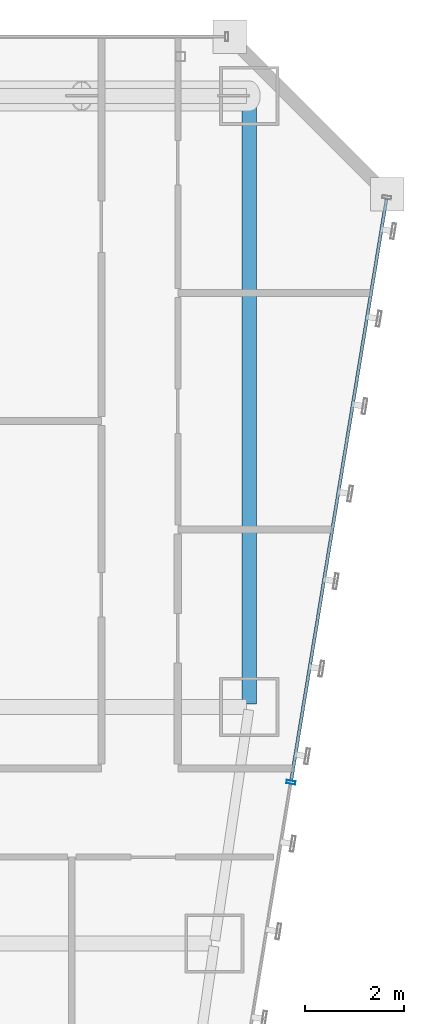
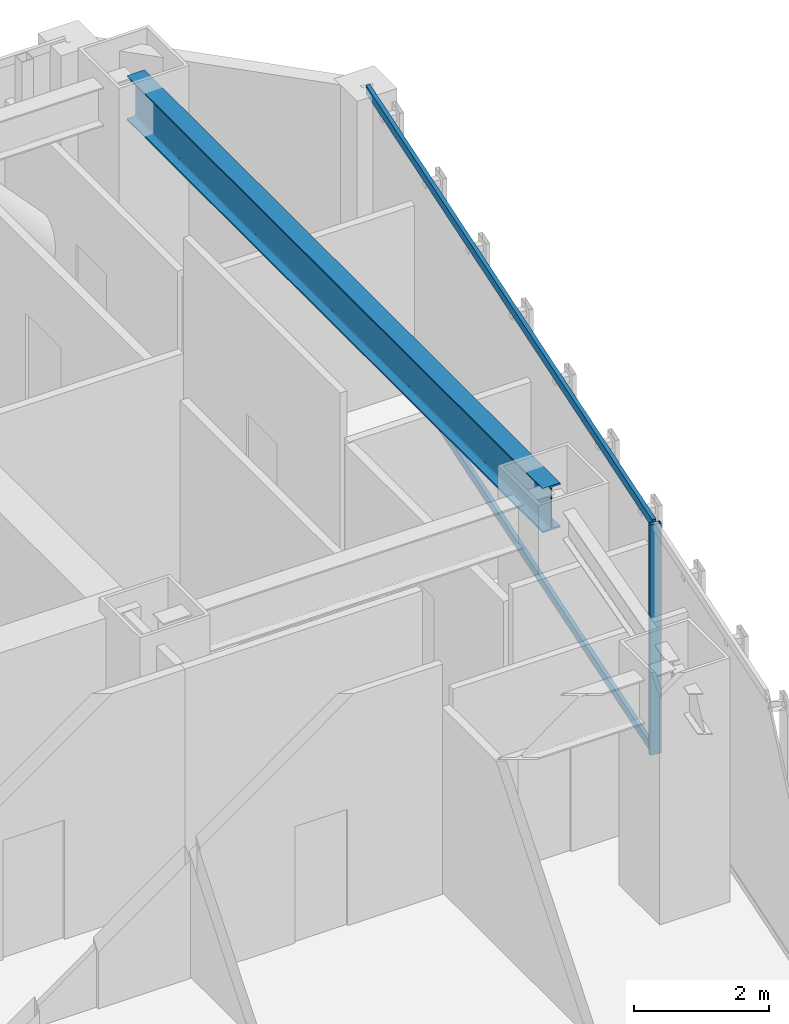
# One storey, part 31 of 47: 3 members, 1 beam, 1 element without a shape of its own.
"""IFC4 building model written with IfcOpenShell, lengths in metres."""

from ifc_helpers import new_model, si_unit, direction, frame, origin, origin_2d, place, context, subcontext, project, spatial, hollow_rectangle, i_section, extrude, material, material_profile, profile_set, type_object, element, aggregate, save


model = new_model("IFC4")

# Units and contexts
model_context = context("Model", 3, precision=1e-05, world=origin(), true_north=direction((0.0, 1.0)))
body_context = subcontext(model_context, "Body", "Model", "MODEL_VIEW")
ifc_project = project(units=[si_unit("LENGTHUNIT", "METRE"), si_unit("AREAUNIT", "SQUARE_METRE"), si_unit("VOLUMEUNIT", "CUBIC_METRE"), si_unit("PLANEANGLEUNIT", "RADIAN"), si_unit("MASSUNIT", "GRAM", prefix="KILO")], contexts=[model_context])

# Site, building, storey
site_placement = place(None, origin())
site = spatial("IfcSite", under=ifc_project, at=site_placement, CompositionType="ELEMENT")
building_placement = place(site_placement, origin())
building = spatial("IfcBuilding", under=site, at=building_placement, Name="Saevonmaru Cultural Tower", CompositionType="ELEMENT")
storey_placement = place(building_placement, frame((0.0, 0.0, 64.800048828125)))
storey = spatial("IfcBuildingStorey", under=building, at=storey_placement, Name="L13", CompositionType="ELEMENT", Elevation=64.800048828125)

# Beam
ifc_material_1 = material(Name="Steel SM420", Category="steel")
ifc_material_profile_1 = material_profile(ifc_material_1, i_section(OverallWidth=0.300048828125, OverallDepth=0.800048828125, WebThickness=0.013916015625, FlangeThickness=0.02587890625, FilletRadius=0.028076171875, at=origin_2d()), Name="H-800x300x14x26")
ifc_profile_set_1 = profile_set([ifc_material_profile_1], Name="Steel SM420")
beam_type = type_object("IfcBeamType", Name="BM-G-H800", PredefinedType="BEAM", material=ifc_profile_set_1)
beam_placement = place(storey_placement, frame((53.199951171875, 54.739990234375, 3.75), z_axis=(0.0, -1.0, 0.0), x_axis=(1.0, 0.0, 0.0)))
element("IfcBeam", 1, at=beam_placement, inside=storey, type_object=beam_type, Name="L13 Spine Transverse Girder E", PredefinedType="BEAM", context=body_context, shape_type="SweptSolid", body=[
    extrude(i_section(OverallWidth=0.300048828125, OverallDepth=0.800048828125, WebThickness=0.013916015625, FlangeThickness=0.02587890625, FilletRadius=0.028076171875, at=origin_2d()), origin(), (0.0, 0.0, 1.0), 12.280029296875),
])

# Curtain wall, members
ifc_material_2 = material(Name="Satin Bronze Anodised Aluminium", Category="aluminium")
curtain_wall_type = type_object("IfcCurtainWallType", Name="CW-TYP-A", PredefinedType="NOTDEFINED", material=ifc_material_2)
curtain_wall_placement = place(storey_placement, origin())
curtain_wall = element("IfcCurtainWall", 2, at=curtain_wall_placement, inside=storey, type_object=curtain_wall_type, Name="L13 Unitised Curtain Wall E8", PredefinedType="NOTDEFINED")
ifc_material_profile_2 = material_profile(ifc_material_2, hollow_rectangle(XDim=0.06494140625, YDim=0.179931640625, WallThickness=0.00390625, at=origin_2d()), Name="ALU-MULL-180x65x4")
ifc_profile_set_2 = profile_set([ifc_material_profile_2], Name="Satin Bronze Anodised Aluminium")
member_type_1 = type_object("IfcMemberType", Name="ML-CW-180x65", PredefinedType="MULLION", material=ifc_profile_set_2)
member_1_placement = place(storey_placement, frame((54.045166015625, 40.870361328125, 0.0), z_axis=(0.0, 0.0, 1.0), x_axis=(0.161708868641, 0.986838508472, 0.0)))
member_1 = element("IfcMember", 3, at=member_1_placement, type_object=member_type_1, Name="CW-TW-L13-E8 mullion 4", PredefinedType="MULLION", context=body_context, shape_type="SweptSolid", body=[
    extrude(hollow_rectangle(XDim=0.06494140625, YDim=0.179931640625, WallThickness=0.00390625, at=origin_2d()), origin(), (0.0, 0.0, 1.0), 4.14990234375),
])
ifc_material_profile_3 = material_profile(ifc_material_2, hollow_rectangle(XDim=0.06494140625, YDim=0.14990234375, WallThickness=0.00390625, at=origin_2d()), Name="ALU-TRAN-150x65x4")
ifc_profile_set_3 = profile_set([ifc_material_profile_3], Name="Satin Bronze Anodised Aluminium")
member_type_2 = type_object("IfcMemberType", Name="TR-CW-150x65", PredefinedType="USERDEFINED", material=ifc_profile_set_3)
member_2_placement = place(storey_placement, frame((54.05029296875, 40.902587890625, 0.032470703125), z_axis=(0.161724530373, 0.986835941925, 0.0), x_axis=(-0.986835941925, 0.161724530373, 0.0)))
member_2 = element("IfcMember", 4, at=member_2_placement, type_object=member_type_2, Name="CW-TW-L13-E8 transom 4.1", ObjectType="TRANSOM", PredefinedType="USERDEFINED", context=body_context, shape_type="SweptSolid", body=[
    extrude(hollow_rectangle(XDim=0.06494140625, YDim=0.14990234375, WallThickness=0.00390625, at=origin_2d()), origin(), (0.0, 0.0, 1.0), 11.963623046875),
])
member_3_placement = place(storey_placement, frame((54.05029296875, 40.902587890625, 4.117431640625), z_axis=(0.161724530373, 0.986835941925, 0.0), x_axis=(-0.986835941925, 0.161724530373, 0.0)))
member_3 = element("IfcMember", 5, at=member_3_placement, type_object=member_type_2, Name="CW-TW-L13-E8 transom 4.2", ObjectType="TRANSOM", PredefinedType="USERDEFINED", context=body_context, shape_type="SweptSolid", body=[
    extrude(hollow_rectangle(XDim=0.06494140625, YDim=0.14990234375, WallThickness=0.00390625, at=origin_2d()), origin(), (0.0, 0.0, 1.0), 11.963623046875),
])
aggregate(curtain_wall, [member_1, member_2, member_3])

save(model, "model.ifc")
